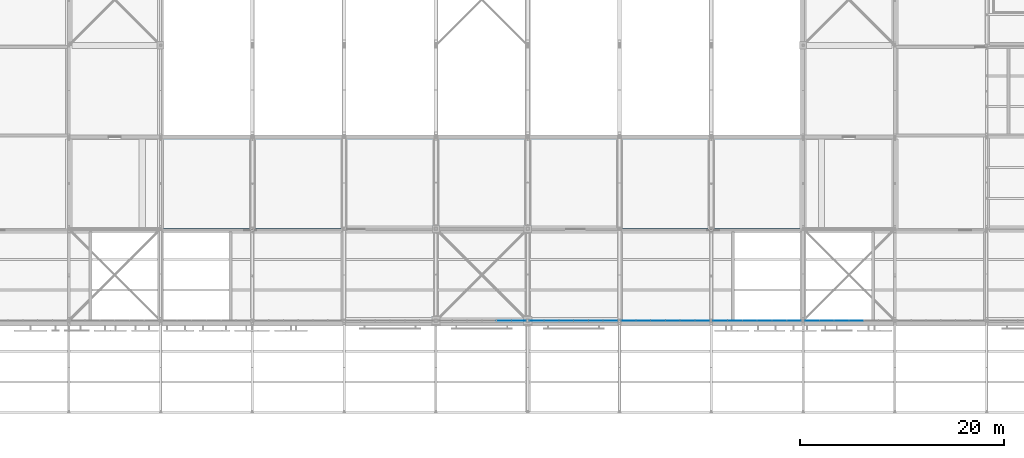
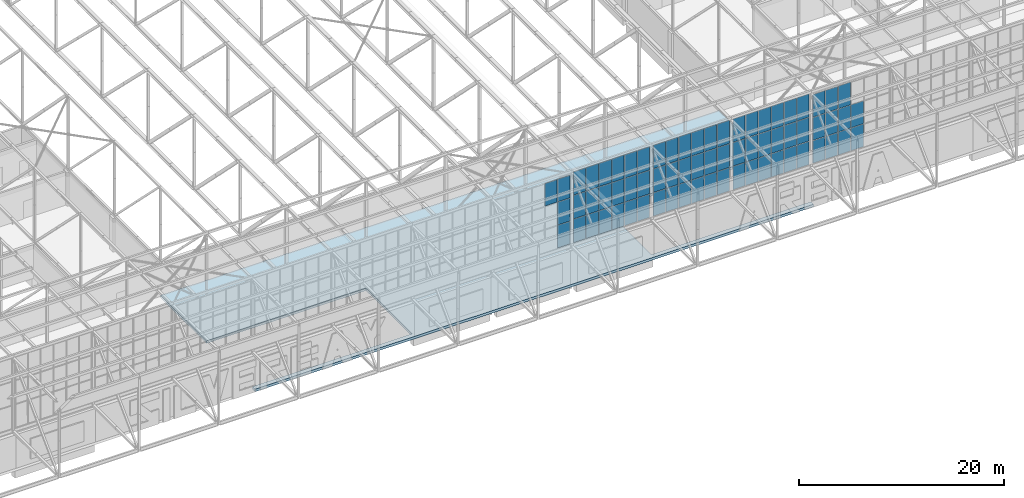
# One storey, part 146 of 646: 69 plates, 1 slab, 5 elements without a shape of their own.
"""IFC4 building model written with IfcOpenShell, lengths in metres."""

from ifc_helpers import new_model, si_unit, direction, frame, origin, origin_2d, place, context, subcontext, project, spatial, polyline, rectangle, outline, extrude, material, layer, layer_set, type_object, element, aggregate, save


model = new_model("IFC4")

# Units and contexts
model_context = context("Model", 3, precision=1e-05, world=origin(), true_north=direction((0.0, 1.0)))
body_context = subcontext(model_context, "Body", "Model", "MODEL_VIEW")
ifc_project = project(units=[si_unit("LENGTHUNIT", "METRE"), si_unit("AREAUNIT", "SQUARE_METRE"), si_unit("VOLUMEUNIT", "CUBIC_METRE"), si_unit("PLANEANGLEUNIT", "RADIAN"), si_unit("MASSUNIT", "GRAM", prefix="KILO")], contexts=[model_context])

# Site, building, storey
site_placement = place(None, origin())
site = spatial("IfcSite", under=ifc_project, at=site_placement, CompositionType="ELEMENT")
building_placement = place(site_placement, origin())
building = spatial("IfcBuilding", under=site, at=building_placement, Name="Silverbay Arena", CompositionType="ELEMENT")
storey_placement = place(building_placement, frame((0.0, 0.0, 33.5)))
storey = spatial("IfcBuildingStorey", under=building, at=storey_placement, Name="L05", CompositionType="ELEMENT", Elevation=33.5)

# Curtain wall, plates
ifc_material_1 = material(Name="Aluminium framed glazing", Category="aluminium")
curtain_wall_type_1 = type_object("IfcCurtainWallType", Name="Curtain wall clerestory 8693 x 8273", PredefinedType="NOTDEFINED", material=ifc_material_1)
curtain_wall_1_placement = place(storey_placement, origin())
curtain_wall_1 = element("IfcCurtainWall", 1, at=curtain_wall_1_placement, inside=storey, type_object=curtain_wall_type_1, Name="ROOF CLERESTORY CURTAIN WALL south bay 09", PredefinedType="NOTDEFINED")
ifc_material_2 = material(Name="Laminated glass", Category="glass")
ifc_layer_1 = layer(ifc_material_2, 0.028076171875)
ifc_layer_set_1 = layer_set([ifc_layer_1], Name="Laminated glass")
plate_type = type_object("IfcPlateType", Name="Glass panel 28", PredefinedType="CURTAIN_PANEL", material=ifc_layer_set_1)
plate_1_placement = place(storey_placement, frame((132.673095703125, 18.0, 10.00048828125), z_axis=(0.0, 0.0, 1.0), x_axis=(1.0, 0.0, 0.0)))
plate_1 = element("IfcPlate", 2, at=plate_1_placement, type_object=plate_type, Name="CW56 panel 5.3", PredefinedType="CURTAIN_PANEL", context=body_context, shape_type="SweptSolid", body=[
    extrude(rectangle(XDim=1.388671875, YDim=0.028076171875, at=origin_2d()), origin(), (0.0, 0.0, 1.0), 2.6826171875),
])
plate_2_placement = place(storey_placement, frame((134.10693359375, 18.0, 4.510009765625), z_axis=(0.0, 0.0, 1.0), x_axis=(1.0, 0.0, 0.0)))
plate_2 = element("IfcPlate", 3, at=plate_2_placement, type_object=plate_type, Name="CW56 panel 6.1", PredefinedType="CURTAIN_PANEL", context=body_context, shape_type="SweptSolid", body=[
    extrude(rectangle(XDim=1.35888671875, YDim=0.028076171875, at=origin_2d()), origin(), (0.0, 0.0, 1.0), 2.6826171875),
])
plate_3_placement = place(storey_placement, frame((134.10693359375, 18.0, 7.24267578125), z_axis=(0.0, 0.0, 1.0), x_axis=(1.0, 0.0, 0.0)))
plate_3 = element("IfcPlate", 4, at=plate_3_placement, type_object=plate_type, Name="CW56 panel 6.2", PredefinedType="CURTAIN_PANEL", context=body_context, shape_type="SweptSolid", body=[
    extrude(rectangle(XDim=1.35888671875, YDim=0.028076171875, at=origin_2d()), origin(), (0.0, 0.0, 1.0), 2.707763671875),
])
plate_4_placement = place(storey_placement, frame((134.10693359375, 18.0, 10.00048828125), z_axis=(0.0, 0.0, 1.0), x_axis=(1.0, 0.0, 0.0)))
plate_4 = element("IfcPlate", 5, at=plate_4_placement, type_object=plate_type, Name="CW56 panel 6.3", PredefinedType="CURTAIN_PANEL", context=body_context, shape_type="SweptSolid", body=[
    extrude(rectangle(XDim=1.35888671875, YDim=0.028076171875, at=origin_2d()), origin(), (0.0, 0.0, 1.0), 2.6826171875),
])
aggregate(curtain_wall_1, [plate_1, plate_2, plate_3, plate_4])

ifc_material_3 = material(Name="Aluminium framed glazing", Category="aluminium")
curtain_wall_type_2 = type_object("IfcCurtainWallType", Name="Curtain wall clerestory 8693 x 8540", PredefinedType="NOTDEFINED", material=ifc_material_3)
curtain_wall_2_placement = place(storey_placement, origin())
curtain_wall_2 = element("IfcCurtainWall", 6, at=curtain_wall_2_placement, inside=storey, type_object=curtain_wall_type_2, Name="ROOF CLERESTORY CURTAIN WALL south bay 10", PredefinedType="NOTDEFINED")
plate_5_placement = place(storey_placement, frame((135.89306640625, 18.0, 4.509765625), z_axis=(0.0, 0.0, 1.0), x_axis=(1.0, 0.0, 0.0)))
plate_5 = element("IfcPlate", 7, at=plate_5_placement, type_object=plate_type, Name="CW55 panel 1.1", PredefinedType="CURTAIN_PANEL", context=body_context, shape_type="SweptSolid", body=[
    extrude(rectangle(XDim=1.35888671875, YDim=0.028076171875, at=origin_2d()), origin(), (0.0, 0.0, 1.0), 2.771728515625),
])
plate_6_placement = place(storey_placement, frame((135.89306640625, 18.0, 7.33154296875), z_axis=(0.0, 0.0, 1.0), x_axis=(1.0, 0.0, 0.0)))
plate_6 = element("IfcPlate", 8, at=plate_6_placement, type_object=plate_type, Name="CW55 panel 1.2", PredefinedType="CURTAIN_PANEL", context=body_context, shape_type="SweptSolid", body=[
    extrude(rectangle(XDim=1.35888671875, YDim=0.028076171875, at=origin_2d()), origin(), (0.0, 0.0, 1.0), 2.796630859375),
])
plate_7_placement = place(storey_placement, frame((135.89306640625, 18.0, 10.17822265625), z_axis=(0.0, 0.0, 1.0), x_axis=(1.0, 0.0, 0.0)))
plate_7 = element("IfcPlate", 9, at=plate_7_placement, type_object=plate_type, Name="CW55 panel 1.3", PredefinedType="CURTAIN_PANEL", context=body_context, shape_type="SweptSolid", body=[
    extrude(rectangle(XDim=1.35888671875, YDim=0.028076171875, at=origin_2d()), origin(), (0.0, 0.0, 1.0), 2.771728515625),
])
plate_8_placement = place(storey_placement, frame((137.326904296875, 18.0, 4.509765625), z_axis=(0.0, 0.0, 1.0), x_axis=(1.0, 0.0, 0.0)))
plate_8 = element("IfcPlate", 10, at=plate_8_placement, type_object=plate_type, Name="CW55 panel 2.1", PredefinedType="CURTAIN_PANEL", context=body_context, shape_type="SweptSolid", body=[
    extrude(rectangle(XDim=1.388671875, YDim=0.028076171875, at=origin_2d()), origin(), (0.0, 0.0, 1.0), 2.771728515625),
])
plate_9_placement = place(storey_placement, frame((137.326904296875, 18.0, 7.33154296875), z_axis=(0.0, 0.0, 1.0), x_axis=(1.0, 0.0, 0.0)))
plate_9 = element("IfcPlate", 11, at=plate_9_placement, type_object=plate_type, Name="CW55 panel 2.2", PredefinedType="CURTAIN_PANEL", context=body_context, shape_type="SweptSolid", body=[
    extrude(rectangle(XDim=1.388671875, YDim=0.028076171875, at=origin_2d()), origin(), (0.0, 0.0, 1.0), 2.796630859375),
])
plate_10_placement = place(storey_placement, frame((137.326904296875, 18.0, 10.17822265625), z_axis=(0.0, 0.0, 1.0), x_axis=(1.0, 0.0, 0.0)))
plate_10 = element("IfcPlate", 12, at=plate_10_placement, type_object=plate_type, Name="CW55 panel 2.3", PredefinedType="CURTAIN_PANEL", context=body_context, shape_type="SweptSolid", body=[
    extrude(rectangle(XDim=1.388671875, YDim=0.028076171875, at=origin_2d()), origin(), (0.0, 0.0, 1.0), 2.771728515625),
])
plate_11_placement = place(storey_placement, frame((138.775634765625, 18.0, 4.509765625), z_axis=(0.0, 0.0, 1.0), x_axis=(1.0, 0.0, 0.0)))
plate_11 = element("IfcPlate", 13, at=plate_11_placement, type_object=plate_type, Name="CW55 panel 3.1", PredefinedType="CURTAIN_PANEL", context=body_context, shape_type="SweptSolid", body=[
    extrude(rectangle(XDim=1.388671875, YDim=0.028076171875, at=origin_2d()), origin(), (0.0, 0.0, 1.0), 2.771728515625),
])
plate_12_placement = place(storey_placement, frame((138.775634765625, 18.0, 7.33154296875), z_axis=(0.0, 0.0, 1.0), x_axis=(1.0, 0.0, 0.0)))
plate_12 = element("IfcPlate", 14, at=plate_12_placement, type_object=plate_type, Name="CW55 panel 3.2", PredefinedType="CURTAIN_PANEL", context=body_context, shape_type="SweptSolid", body=[
    extrude(rectangle(XDim=1.388671875, YDim=0.028076171875, at=origin_2d()), origin(), (0.0, 0.0, 1.0), 2.796630859375),
])
plate_13_placement = place(storey_placement, frame((138.775634765625, 18.0, 10.17822265625), z_axis=(0.0, 0.0, 1.0), x_axis=(1.0, 0.0, 0.0)))
plate_13 = element("IfcPlate", 15, at=plate_13_placement, type_object=plate_type, Name="CW55 panel 3.3", PredefinedType="CURTAIN_PANEL", context=body_context, shape_type="SweptSolid", body=[
    extrude(rectangle(XDim=1.388671875, YDim=0.028076171875, at=origin_2d()), origin(), (0.0, 0.0, 1.0), 2.771728515625),
])
plate_14_placement = place(storey_placement, frame((140.224365234375, 18.0, 4.509765625), z_axis=(0.0, 0.0, 1.0), x_axis=(1.0, 0.0, 0.0)))
plate_14 = element("IfcPlate", 16, at=plate_14_placement, type_object=plate_type, Name="CW55 panel 4.1", PredefinedType="CURTAIN_PANEL", context=body_context, shape_type="SweptSolid", body=[
    extrude(rectangle(XDim=1.388671875, YDim=0.028076171875, at=origin_2d()), origin(), (0.0, 0.0, 1.0), 2.771728515625),
])
plate_15_placement = place(storey_placement, frame((140.224365234375, 18.0, 7.33154296875), z_axis=(0.0, 0.0, 1.0), x_axis=(1.0, 0.0, 0.0)))
plate_15 = element("IfcPlate", 17, at=plate_15_placement, type_object=plate_type, Name="CW55 panel 4.2", PredefinedType="CURTAIN_PANEL", context=body_context, shape_type="SweptSolid", body=[
    extrude(rectangle(XDim=1.388671875, YDim=0.028076171875, at=origin_2d()), origin(), (0.0, 0.0, 1.0), 2.796630859375),
])
plate_16_placement = place(storey_placement, frame((140.224365234375, 18.0, 10.17822265625), z_axis=(0.0, 0.0, 1.0), x_axis=(1.0, 0.0, 0.0)))
plate_16 = element("IfcPlate", 18, at=plate_16_placement, type_object=plate_type, Name="CW55 panel 4.3", PredefinedType="CURTAIN_PANEL", context=body_context, shape_type="SweptSolid", body=[
    extrude(rectangle(XDim=1.388671875, YDim=0.028076171875, at=origin_2d()), origin(), (0.0, 0.0, 1.0), 2.771728515625),
])
plate_17_placement = place(storey_placement, frame((141.673095703125, 18.0, 4.509765625), z_axis=(0.0, 0.0, 1.0), x_axis=(1.0, 0.0, 0.0)))
plate_17 = element("IfcPlate", 19, at=plate_17_placement, type_object=plate_type, Name="CW55 panel 5.1", PredefinedType="CURTAIN_PANEL", context=body_context, shape_type="SweptSolid", body=[
    extrude(rectangle(XDim=1.388671875, YDim=0.028076171875, at=origin_2d()), origin(), (0.0, 0.0, 1.0), 2.771728515625),
])
plate_18_placement = place(storey_placement, frame((141.673095703125, 18.0, 7.33154296875), z_axis=(0.0, 0.0, 1.0), x_axis=(1.0, 0.0, 0.0)))
plate_18 = element("IfcPlate", 20, at=plate_18_placement, type_object=plate_type, Name="CW55 panel 5.2", PredefinedType="CURTAIN_PANEL", context=body_context, shape_type="SweptSolid", body=[
    extrude(rectangle(XDim=1.388671875, YDim=0.028076171875, at=origin_2d()), origin(), (0.0, 0.0, 1.0), 2.796630859375),
])
plate_19_placement = place(storey_placement, frame((141.673095703125, 18.0, 10.17822265625), z_axis=(0.0, 0.0, 1.0), x_axis=(1.0, 0.0, 0.0)))
plate_19 = element("IfcPlate", 21, at=plate_19_placement, type_object=plate_type, Name="CW55 panel 5.3", PredefinedType="CURTAIN_PANEL", context=body_context, shape_type="SweptSolid", body=[
    extrude(rectangle(XDim=1.388671875, YDim=0.028076171875, at=origin_2d()), origin(), (0.0, 0.0, 1.0), 2.771728515625),
])
plate_20_placement = place(storey_placement, frame((143.10693359375, 18.0, 4.509765625), z_axis=(0.0, 0.0, 1.0), x_axis=(1.0, 0.0, 0.0)))
plate_20 = element("IfcPlate", 22, at=plate_20_placement, type_object=plate_type, Name="CW55 panel 6.1", PredefinedType="CURTAIN_PANEL", context=body_context, shape_type="SweptSolid", body=[
    extrude(rectangle(XDim=1.35888671875, YDim=0.028076171875, at=origin_2d()), origin(), (0.0, 0.0, 1.0), 2.771728515625),
])
plate_21_placement = place(storey_placement, frame((143.10693359375, 18.0, 7.33154296875), z_axis=(0.0, 0.0, 1.0), x_axis=(1.0, 0.0, 0.0)))
plate_21 = element("IfcPlate", 23, at=plate_21_placement, type_object=plate_type, Name="CW55 panel 6.2", PredefinedType="CURTAIN_PANEL", context=body_context, shape_type="SweptSolid", body=[
    extrude(rectangle(XDim=1.35888671875, YDim=0.028076171875, at=origin_2d()), origin(), (0.0, 0.0, 1.0), 2.796630859375),
])
plate_22_placement = place(storey_placement, frame((143.10693359375, 18.0, 10.17822265625), z_axis=(0.0, 0.0, 1.0), x_axis=(1.0, 0.0, 0.0)))
plate_22 = element("IfcPlate", 24, at=plate_22_placement, type_object=plate_type, Name="CW55 panel 6.3", PredefinedType="CURTAIN_PANEL", context=body_context, shape_type="SweptSolid", body=[
    extrude(rectangle(XDim=1.35888671875, YDim=0.028076171875, at=origin_2d()), origin(), (0.0, 0.0, 1.0), 2.771728515625),
])
aggregate(curtain_wall_2, [plate_5, plate_6, plate_7, plate_8, plate_9, plate_10, plate_11, plate_12, plate_13, plate_14, plate_15, plate_16, plate_17, plate_18, plate_19, plate_20, plate_21, plate_22])

curtain_wall_3_placement = place(storey_placement, origin())
curtain_wall_3 = element("IfcCurtainWall", 25, at=curtain_wall_3_placement, inside=storey, type_object=curtain_wall_type_2, Name="ROOF CLERESTORY CURTAIN WALL south bay 11", PredefinedType="NOTDEFINED")
plate_23_placement = place(storey_placement, frame((144.89306640625, 18.0, 4.509765625), z_axis=(0.0, 0.0, 1.0), x_axis=(1.0, 0.0, 0.0)))
plate_23 = element("IfcPlate", 26, at=plate_23_placement, type_object=plate_type, Name="CW55 panel 1.1", PredefinedType="CURTAIN_PANEL", context=body_context, shape_type="SweptSolid", body=[
    extrude(rectangle(XDim=1.35888671875, YDim=0.028076171875, at=origin_2d()), origin(), (0.0, 0.0, 1.0), 2.771728515625),
])
plate_24_placement = place(storey_placement, frame((144.89306640625, 18.0, 7.33154296875), z_axis=(0.0, 0.0, 1.0), x_axis=(1.0, 0.0, 0.0)))
plate_24 = element("IfcPlate", 27, at=plate_24_placement, type_object=plate_type, Name="CW55 panel 1.2", PredefinedType="CURTAIN_PANEL", context=body_context, shape_type="SweptSolid", body=[
    extrude(rectangle(XDim=1.35888671875, YDim=0.028076171875, at=origin_2d()), origin(), (0.0, 0.0, 1.0), 2.796630859375),
])
plate_25_placement = place(storey_placement, frame((144.89306640625, 18.0, 10.17822265625), z_axis=(0.0, 0.0, 1.0), x_axis=(1.0, 0.0, 0.0)))
plate_25 = element("IfcPlate", 28, at=plate_25_placement, type_object=plate_type, Name="CW55 panel 1.3", PredefinedType="CURTAIN_PANEL", context=body_context, shape_type="SweptSolid", body=[
    extrude(rectangle(XDim=1.35888671875, YDim=0.028076171875, at=origin_2d()), origin(), (0.0, 0.0, 1.0), 2.771728515625),
])
plate_26_placement = place(storey_placement, frame((146.326904296875, 18.0, 4.509765625), z_axis=(0.0, 0.0, 1.0), x_axis=(1.0, 0.0, 0.0)))
plate_26 = element("IfcPlate", 29, at=plate_26_placement, type_object=plate_type, Name="CW55 panel 2.1", PredefinedType="CURTAIN_PANEL", context=body_context, shape_type="SweptSolid", body=[
    extrude(rectangle(XDim=1.388671875, YDim=0.028076171875, at=origin_2d()), origin(), (0.0, 0.0, 1.0), 2.771728515625),
])
plate_27_placement = place(storey_placement, frame((146.326904296875, 18.0, 7.33154296875), z_axis=(0.0, 0.0, 1.0), x_axis=(1.0, 0.0, 0.0)))
plate_27 = element("IfcPlate", 30, at=plate_27_placement, type_object=plate_type, Name="CW55 panel 2.2", PredefinedType="CURTAIN_PANEL", context=body_context, shape_type="SweptSolid", body=[
    extrude(rectangle(XDim=1.388671875, YDim=0.028076171875, at=origin_2d()), origin(), (0.0, 0.0, 1.0), 2.796630859375),
])
plate_28_placement = place(storey_placement, frame((146.326904296875, 18.0, 10.17822265625), z_axis=(0.0, 0.0, 1.0), x_axis=(1.0, 0.0, 0.0)))
plate_28 = element("IfcPlate", 31, at=plate_28_placement, type_object=plate_type, Name="CW55 panel 2.3", PredefinedType="CURTAIN_PANEL", context=body_context, shape_type="SweptSolid", body=[
    extrude(rectangle(XDim=1.388671875, YDim=0.028076171875, at=origin_2d()), origin(), (0.0, 0.0, 1.0), 2.771728515625),
])
plate_29_placement = place(storey_placement, frame((147.775634765625, 18.0, 4.509765625), z_axis=(0.0, 0.0, 1.0), x_axis=(1.0, 0.0, 0.0)))
plate_29 = element("IfcPlate", 32, at=plate_29_placement, type_object=plate_type, Name="CW55 panel 3.1", PredefinedType="CURTAIN_PANEL", context=body_context, shape_type="SweptSolid", body=[
    extrude(rectangle(XDim=1.388671875, YDim=0.028076171875, at=origin_2d()), origin(), (0.0, 0.0, 1.0), 2.771728515625),
])
plate_30_placement = place(storey_placement, frame((147.775634765625, 18.0, 7.33154296875), z_axis=(0.0, 0.0, 1.0), x_axis=(1.0, 0.0, 0.0)))
plate_30 = element("IfcPlate", 33, at=plate_30_placement, type_object=plate_type, Name="CW55 panel 3.2", PredefinedType="CURTAIN_PANEL", context=body_context, shape_type="SweptSolid", body=[
    extrude(rectangle(XDim=1.388671875, YDim=0.028076171875, at=origin_2d()), origin(), (0.0, 0.0, 1.0), 2.796630859375),
])
plate_31_placement = place(storey_placement, frame((147.775634765625, 18.0, 10.17822265625), z_axis=(0.0, 0.0, 1.0), x_axis=(1.0, 0.0, 0.0)))
plate_31 = element("IfcPlate", 34, at=plate_31_placement, type_object=plate_type, Name="CW55 panel 3.3", PredefinedType="CURTAIN_PANEL", context=body_context, shape_type="SweptSolid", body=[
    extrude(rectangle(XDim=1.388671875, YDim=0.028076171875, at=origin_2d()), origin(), (0.0, 0.0, 1.0), 2.771728515625),
])
plate_32_placement = place(storey_placement, frame((149.224365234375, 18.0, 4.509765625), z_axis=(0.0, 0.0, 1.0), x_axis=(1.0, 0.0, 0.0)))
plate_32 = element("IfcPlate", 35, at=plate_32_placement, type_object=plate_type, Name="CW55 panel 4.1", PredefinedType="CURTAIN_PANEL", context=body_context, shape_type="SweptSolid", body=[
    extrude(rectangle(XDim=1.388671875, YDim=0.028076171875, at=origin_2d()), origin(), (0.0, 0.0, 1.0), 2.771728515625),
])
plate_33_placement = place(storey_placement, frame((149.224365234375, 18.0, 7.33154296875), z_axis=(0.0, 0.0, 1.0), x_axis=(1.0, 0.0, 0.0)))
plate_33 = element("IfcPlate", 36, at=plate_33_placement, type_object=plate_type, Name="CW55 panel 4.2", PredefinedType="CURTAIN_PANEL", context=body_context, shape_type="SweptSolid", body=[
    extrude(rectangle(XDim=1.388671875, YDim=0.028076171875, at=origin_2d()), origin(), (0.0, 0.0, 1.0), 2.796630859375),
])
plate_34_placement = place(storey_placement, frame((149.224365234375, 18.0, 10.17822265625), z_axis=(0.0, 0.0, 1.0), x_axis=(1.0, 0.0, 0.0)))
plate_34 = element("IfcPlate", 37, at=plate_34_placement, type_object=plate_type, Name="CW55 panel 4.3", PredefinedType="CURTAIN_PANEL", context=body_context, shape_type="SweptSolid", body=[
    extrude(rectangle(XDim=1.388671875, YDim=0.028076171875, at=origin_2d()), origin(), (0.0, 0.0, 1.0), 2.771728515625),
])
plate_35_placement = place(storey_placement, frame((150.673095703125, 18.0, 4.509765625), z_axis=(0.0, 0.0, 1.0), x_axis=(1.0, 0.0, 0.0)))
plate_35 = element("IfcPlate", 38, at=plate_35_placement, type_object=plate_type, Name="CW55 panel 5.1", PredefinedType="CURTAIN_PANEL", context=body_context, shape_type="SweptSolid", body=[
    extrude(rectangle(XDim=1.388671875, YDim=0.028076171875, at=origin_2d()), origin(), (0.0, 0.0, 1.0), 2.771728515625),
])
plate_36_placement = place(storey_placement, frame((150.673095703125, 18.0, 7.33154296875), z_axis=(0.0, 0.0, 1.0), x_axis=(1.0, 0.0, 0.0)))
plate_36 = element("IfcPlate", 39, at=plate_36_placement, type_object=plate_type, Name="CW55 panel 5.2", PredefinedType="CURTAIN_PANEL", context=body_context, shape_type="SweptSolid", body=[
    extrude(rectangle(XDim=1.388671875, YDim=0.028076171875, at=origin_2d()), origin(), (0.0, 0.0, 1.0), 2.796630859375),
])
plate_37_placement = place(storey_placement, frame((150.673095703125, 18.0, 10.17822265625), z_axis=(0.0, 0.0, 1.0), x_axis=(1.0, 0.0, 0.0)))
plate_37 = element("IfcPlate", 40, at=plate_37_placement, type_object=plate_type, Name="CW55 panel 5.3", PredefinedType="CURTAIN_PANEL", context=body_context, shape_type="SweptSolid", body=[
    extrude(rectangle(XDim=1.388671875, YDim=0.028076171875, at=origin_2d()), origin(), (0.0, 0.0, 1.0), 2.771728515625),
])
plate_38_placement = place(storey_placement, frame((152.10693359375, 18.0, 4.509765625), z_axis=(0.0, 0.0, 1.0), x_axis=(1.0, 0.0, 0.0)))
plate_38 = element("IfcPlate", 41, at=plate_38_placement, type_object=plate_type, Name="CW55 panel 6.1", PredefinedType="CURTAIN_PANEL", context=body_context, shape_type="SweptSolid", body=[
    extrude(rectangle(XDim=1.35888671875, YDim=0.028076171875, at=origin_2d()), origin(), (0.0, 0.0, 1.0), 2.771728515625),
])
plate_39_placement = place(storey_placement, frame((152.10693359375, 18.0, 7.33154296875), z_axis=(0.0, 0.0, 1.0), x_axis=(1.0, 0.0, 0.0)))
plate_39 = element("IfcPlate", 42, at=plate_39_placement, type_object=plate_type, Name="CW55 panel 6.2", PredefinedType="CURTAIN_PANEL", context=body_context, shape_type="SweptSolid", body=[
    extrude(rectangle(XDim=1.35888671875, YDim=0.028076171875, at=origin_2d()), origin(), (0.0, 0.0, 1.0), 2.796630859375),
])
plate_40_placement = place(storey_placement, frame((152.10693359375, 18.0, 10.17822265625), z_axis=(0.0, 0.0, 1.0), x_axis=(1.0, 0.0, 0.0)))
plate_40 = element("IfcPlate", 43, at=plate_40_placement, type_object=plate_type, Name="CW55 panel 6.3", PredefinedType="CURTAIN_PANEL", context=body_context, shape_type="SweptSolid", body=[
    extrude(rectangle(XDim=1.35888671875, YDim=0.028076171875, at=origin_2d()), origin(), (0.0, 0.0, 1.0), 2.771728515625),
])
aggregate(curtain_wall_3, [plate_23, plate_24, plate_25, plate_26, plate_27, plate_28, plate_29, plate_30, plate_31, plate_32, plate_33, plate_34, plate_35, plate_36, plate_37, plate_38, plate_39, plate_40])

curtain_wall_4_placement = place(storey_placement, origin())
curtain_wall_4 = element("IfcCurtainWall", 44, at=curtain_wall_4_placement, inside=storey, type_object=curtain_wall_type_2, Name="ROOF CLERESTORY CURTAIN WALL south bay 12", PredefinedType="NOTDEFINED")
plate_41_placement = place(storey_placement, frame((153.89306640625, 18.0, 4.509765625), z_axis=(0.0, 0.0, 1.0), x_axis=(1.0, 0.0, 0.0)))
plate_41 = element("IfcPlate", 45, at=plate_41_placement, type_object=plate_type, Name="CW55 panel 1.1", PredefinedType="CURTAIN_PANEL", context=body_context, shape_type="SweptSolid", body=[
    extrude(rectangle(XDim=1.35888671875, YDim=0.028076171875, at=origin_2d()), origin(), (0.0, 0.0, 1.0), 2.771728515625),
])
plate_42_placement = place(storey_placement, frame((153.89306640625, 18.0, 7.33154296875), z_axis=(0.0, 0.0, 1.0), x_axis=(1.0, 0.0, 0.0)))
plate_42 = element("IfcPlate", 46, at=plate_42_placement, type_object=plate_type, Name="CW55 panel 1.2", PredefinedType="CURTAIN_PANEL", context=body_context, shape_type="SweptSolid", body=[
    extrude(rectangle(XDim=1.35888671875, YDim=0.028076171875, at=origin_2d()), origin(), (0.0, 0.0, 1.0), 2.796630859375),
])
plate_43_placement = place(storey_placement, frame((153.89306640625, 18.0, 10.17822265625), z_axis=(0.0, 0.0, 1.0), x_axis=(1.0, 0.0, 0.0)))
plate_43 = element("IfcPlate", 47, at=plate_43_placement, type_object=plate_type, Name="CW55 panel 1.3", PredefinedType="CURTAIN_PANEL", context=body_context, shape_type="SweptSolid", body=[
    extrude(rectangle(XDim=1.35888671875, YDim=0.028076171875, at=origin_2d()), origin(), (0.0, 0.0, 1.0), 2.771728515625),
])
plate_44_placement = place(storey_placement, frame((155.326904296875, 18.0, 4.509765625), z_axis=(0.0, 0.0, 1.0), x_axis=(1.0, 0.0, 0.0)))
plate_44 = element("IfcPlate", 48, at=plate_44_placement, type_object=plate_type, Name="CW55 panel 2.1", PredefinedType="CURTAIN_PANEL", context=body_context, shape_type="SweptSolid", body=[
    extrude(rectangle(XDim=1.388671875, YDim=0.028076171875, at=origin_2d()), origin(), (0.0, 0.0, 1.0), 2.771728515625),
])
plate_45_placement = place(storey_placement, frame((155.326904296875, 18.0, 7.33154296875), z_axis=(0.0, 0.0, 1.0), x_axis=(1.0, 0.0, 0.0)))
plate_45 = element("IfcPlate", 49, at=plate_45_placement, type_object=plate_type, Name="CW55 panel 2.2", PredefinedType="CURTAIN_PANEL", context=body_context, shape_type="SweptSolid", body=[
    extrude(rectangle(XDim=1.388671875, YDim=0.028076171875, at=origin_2d()), origin(), (0.0, 0.0, 1.0), 2.796630859375),
])
plate_46_placement = place(storey_placement, frame((155.326904296875, 18.0, 10.17822265625), z_axis=(0.0, 0.0, 1.0), x_axis=(1.0, 0.0, 0.0)))
plate_46 = element("IfcPlate", 50, at=plate_46_placement, type_object=plate_type, Name="CW55 panel 2.3", PredefinedType="CURTAIN_PANEL", context=body_context, shape_type="SweptSolid", body=[
    extrude(rectangle(XDim=1.388671875, YDim=0.028076171875, at=origin_2d()), origin(), (0.0, 0.0, 1.0), 2.771728515625),
])
plate_47_placement = place(storey_placement, frame((156.775634765625, 18.0, 4.509765625), z_axis=(0.0, 0.0, 1.0), x_axis=(1.0, 0.0, 0.0)))
plate_47 = element("IfcPlate", 51, at=plate_47_placement, type_object=plate_type, Name="CW55 panel 3.1", PredefinedType="CURTAIN_PANEL", context=body_context, shape_type="SweptSolid", body=[
    extrude(rectangle(XDim=1.388671875, YDim=0.028076171875, at=origin_2d()), origin(), (0.0, 0.0, 1.0), 2.771728515625),
])
plate_48_placement = place(storey_placement, frame((156.775634765625, 18.0, 7.33154296875), z_axis=(0.0, 0.0, 1.0), x_axis=(1.0, 0.0, 0.0)))
plate_48 = element("IfcPlate", 52, at=plate_48_placement, type_object=plate_type, Name="CW55 panel 3.2", PredefinedType="CURTAIN_PANEL", context=body_context, shape_type="SweptSolid", body=[
    extrude(rectangle(XDim=1.388671875, YDim=0.028076171875, at=origin_2d()), origin(), (0.0, 0.0, 1.0), 2.796630859375),
])
plate_49_placement = place(storey_placement, frame((156.775634765625, 18.0, 10.17822265625), z_axis=(0.0, 0.0, 1.0), x_axis=(1.0, 0.0, 0.0)))
plate_49 = element("IfcPlate", 53, at=plate_49_placement, type_object=plate_type, Name="CW55 panel 3.3", PredefinedType="CURTAIN_PANEL", context=body_context, shape_type="SweptSolid", body=[
    extrude(rectangle(XDim=1.388671875, YDim=0.028076171875, at=origin_2d()), origin(), (0.0, 0.0, 1.0), 2.771728515625),
])
plate_50_placement = place(storey_placement, frame((158.224365234375, 18.0, 4.509765625), z_axis=(0.0, 0.0, 1.0), x_axis=(1.0, 0.0, 0.0)))
plate_50 = element("IfcPlate", 54, at=plate_50_placement, type_object=plate_type, Name="CW55 panel 4.1", PredefinedType="CURTAIN_PANEL", context=body_context, shape_type="SweptSolid", body=[
    extrude(rectangle(XDim=1.388671875, YDim=0.028076171875, at=origin_2d()), origin(), (0.0, 0.0, 1.0), 2.771728515625),
])
plate_51_placement = place(storey_placement, frame((158.224365234375, 18.0, 7.33154296875), z_axis=(0.0, 0.0, 1.0), x_axis=(1.0, 0.0, 0.0)))
plate_51 = element("IfcPlate", 55, at=plate_51_placement, type_object=plate_type, Name="CW55 panel 4.2", PredefinedType="CURTAIN_PANEL", context=body_context, shape_type="SweptSolid", body=[
    extrude(rectangle(XDim=1.388671875, YDim=0.028076171875, at=origin_2d()), origin(), (0.0, 0.0, 1.0), 2.796630859375),
])
plate_52_placement = place(storey_placement, frame((158.224365234375, 18.0, 10.17822265625), z_axis=(0.0, 0.0, 1.0), x_axis=(1.0, 0.0, 0.0)))
plate_52 = element("IfcPlate", 56, at=plate_52_placement, type_object=plate_type, Name="CW55 panel 4.3", PredefinedType="CURTAIN_PANEL", context=body_context, shape_type="SweptSolid", body=[
    extrude(rectangle(XDim=1.388671875, YDim=0.028076171875, at=origin_2d()), origin(), (0.0, 0.0, 1.0), 2.771728515625),
])
plate_53_placement = place(storey_placement, frame((159.673095703125, 18.0, 4.509765625), z_axis=(0.0, 0.0, 1.0), x_axis=(1.0, 0.0, 0.0)))
plate_53 = element("IfcPlate", 57, at=plate_53_placement, type_object=plate_type, Name="CW55 panel 5.1", PredefinedType="CURTAIN_PANEL", context=body_context, shape_type="SweptSolid", body=[
    extrude(rectangle(XDim=1.388671875, YDim=0.028076171875, at=origin_2d()), origin(), (0.0, 0.0, 1.0), 2.771728515625),
])
plate_54_placement = place(storey_placement, frame((159.673095703125, 18.0, 7.33154296875), z_axis=(0.0, 0.0, 1.0), x_axis=(1.0, 0.0, 0.0)))
plate_54 = element("IfcPlate", 58, at=plate_54_placement, type_object=plate_type, Name="CW55 panel 5.2", PredefinedType="CURTAIN_PANEL", context=body_context, shape_type="SweptSolid", body=[
    extrude(rectangle(XDim=1.388671875, YDim=0.028076171875, at=origin_2d()), origin(), (0.0, 0.0, 1.0), 2.796630859375),
])
plate_55_placement = place(storey_placement, frame((159.673095703125, 18.0, 10.17822265625), z_axis=(0.0, 0.0, 1.0), x_axis=(1.0, 0.0, 0.0)))
plate_55 = element("IfcPlate", 59, at=plate_55_placement, type_object=plate_type, Name="CW55 panel 5.3", PredefinedType="CURTAIN_PANEL", context=body_context, shape_type="SweptSolid", body=[
    extrude(rectangle(XDim=1.388671875, YDim=0.028076171875, at=origin_2d()), origin(), (0.0, 0.0, 1.0), 2.771728515625),
])
plate_56_placement = place(storey_placement, frame((161.10693359375, 18.0, 4.509765625), z_axis=(0.0, 0.0, 1.0), x_axis=(1.0, 0.0, 0.0)))
plate_56 = element("IfcPlate", 60, at=plate_56_placement, type_object=plate_type, Name="CW55 panel 6.1", PredefinedType="CURTAIN_PANEL", context=body_context, shape_type="SweptSolid", body=[
    extrude(rectangle(XDim=1.35888671875, YDim=0.028076171875, at=origin_2d()), origin(), (0.0, 0.0, 1.0), 2.771728515625),
])
plate_57_placement = place(storey_placement, frame((161.10693359375, 18.0, 7.33154296875), z_axis=(0.0, 0.0, 1.0), x_axis=(1.0, 0.0, 0.0)))
plate_57 = element("IfcPlate", 61, at=plate_57_placement, type_object=plate_type, Name="CW55 panel 6.2", PredefinedType="CURTAIN_PANEL", context=body_context, shape_type="SweptSolid", body=[
    extrude(rectangle(XDim=1.35888671875, YDim=0.028076171875, at=origin_2d()), origin(), (0.0, 0.0, 1.0), 2.796630859375),
])
plate_58_placement = place(storey_placement, frame((161.10693359375, 18.0, 10.17822265625), z_axis=(0.0, 0.0, 1.0), x_axis=(1.0, 0.0, 0.0)))
plate_58 = element("IfcPlate", 62, at=plate_58_placement, type_object=plate_type, Name="CW55 panel 6.3", PredefinedType="CURTAIN_PANEL", context=body_context, shape_type="SweptSolid", body=[
    extrude(rectangle(XDim=1.35888671875, YDim=0.028076171875, at=origin_2d()), origin(), (0.0, 0.0, 1.0), 2.771728515625),
])
aggregate(curtain_wall_4, [plate_41, plate_42, plate_43, plate_44, plate_45, plate_46, plate_47, plate_48, plate_49, plate_50, plate_51, plate_52, plate_53, plate_54, plate_55, plate_56, plate_57, plate_58])

ifc_material_4 = material(Name="Aluminium framed glazing", Category="aluminium")
curtain_wall_type_3 = type_object("IfcCurtainWallType", Name="Curtain wall clerestory 8693 x 8303", PredefinedType="NOTDEFINED", material=ifc_material_4)
curtain_wall_5_placement = place(storey_placement, origin())
curtain_wall_5 = element("IfcCurtainWall", 63, at=curtain_wall_5_placement, inside=storey, type_object=curtain_wall_type_3, Name="ROOF CLERESTORY CURTAIN WALL south bay 13", PredefinedType="NOTDEFINED")
plate_59_placement = place(storey_placement, frame((162.89306640625, 18.0, 4.510009765625), z_axis=(0.0, 0.0, 1.0), x_axis=(1.0, 0.0, 0.0)))
plate_59 = element("IfcPlate", 64, at=plate_59_placement, type_object=plate_type, Name="CW54 panel 1.1", PredefinedType="CURTAIN_PANEL", context=body_context, shape_type="SweptSolid", body=[
    extrude(rectangle(XDim=1.35888671875, YDim=0.028076171875, at=origin_2d()), origin(), (0.0, 0.0, 1.0), 2.69287109375),
])
plate_60_placement = place(storey_placement, frame((162.89306640625, 18.0, 7.2529296875), z_axis=(0.0, 0.0, 1.0), x_axis=(1.0, 0.0, 0.0)))
plate_60 = element("IfcPlate", 65, at=plate_60_placement, type_object=plate_type, Name="CW54 panel 1.2", PredefinedType="CURTAIN_PANEL", context=body_context, shape_type="SweptSolid", body=[
    extrude(rectangle(XDim=1.35888671875, YDim=0.028076171875, at=origin_2d()), origin(), (0.0, 0.0, 1.0), 2.7177734375),
])
plate_61_placement = place(storey_placement, frame((162.89306640625, 18.0, 10.0205078125), z_axis=(0.0, 0.0, 1.0), x_axis=(1.0, 0.0, 0.0)))
plate_61 = element("IfcPlate", 66, at=plate_61_placement, type_object=plate_type, Name="CW54 panel 1.3", PredefinedType="CURTAIN_PANEL", context=body_context, shape_type="SweptSolid", body=[
    extrude(rectangle(XDim=1.35888671875, YDim=0.028076171875, at=origin_2d()), origin(), (0.0, 0.0, 1.0), 2.69287109375),
])
plate_62_placement = place(storey_placement, frame((164.326904296875, 18.0, 4.510009765625), z_axis=(0.0, 0.0, 1.0), x_axis=(1.0, 0.0, 0.0)))
plate_62 = element("IfcPlate", 67, at=plate_62_placement, type_object=plate_type, Name="CW54 panel 2.1", PredefinedType="CURTAIN_PANEL", context=body_context, shape_type="SweptSolid", body=[
    extrude(rectangle(XDim=1.388671875, YDim=0.028076171875, at=origin_2d()), origin(), (0.0, 0.0, 1.0), 2.69287109375),
])
plate_63_placement = place(storey_placement, frame((164.326904296875, 18.0, 7.2529296875), z_axis=(0.0, 0.0, 1.0), x_axis=(1.0, 0.0, 0.0)))
plate_63 = element("IfcPlate", 68, at=plate_63_placement, type_object=plate_type, Name="CW54 panel 2.2", PredefinedType="CURTAIN_PANEL", context=body_context, shape_type="SweptSolid", body=[
    extrude(rectangle(XDim=1.388671875, YDim=0.028076171875, at=origin_2d()), origin(), (0.0, 0.0, 1.0), 2.7177734375),
])
plate_64_placement = place(storey_placement, frame((164.326904296875, 18.0, 10.0205078125), z_axis=(0.0, 0.0, 1.0), x_axis=(1.0, 0.0, 0.0)))
plate_64 = element("IfcPlate", 69, at=plate_64_placement, type_object=plate_type, Name="CW54 panel 2.3", PredefinedType="CURTAIN_PANEL", context=body_context, shape_type="SweptSolid", body=[
    extrude(rectangle(XDim=1.388671875, YDim=0.028076171875, at=origin_2d()), origin(), (0.0, 0.0, 1.0), 2.69287109375),
])
plate_65_placement = place(storey_placement, frame((165.775634765625, 18.0, 4.510009765625), z_axis=(0.0, 0.0, 1.0), x_axis=(1.0, 0.0, 0.0)))
plate_65 = element("IfcPlate", 70, at=plate_65_placement, type_object=plate_type, Name="CW54 panel 3.1", PredefinedType="CURTAIN_PANEL", context=body_context, shape_type="SweptSolid", body=[
    extrude(rectangle(XDim=1.388671875, YDim=0.028076171875, at=origin_2d()), origin(), (0.0, 0.0, 1.0), 2.69287109375),
])
plate_66_placement = place(storey_placement, frame((165.775634765625, 18.0, 7.2529296875), z_axis=(0.0, 0.0, 1.0), x_axis=(1.0, 0.0, 0.0)))
plate_66 = element("IfcPlate", 71, at=plate_66_placement, type_object=plate_type, Name="CW54 panel 3.2", PredefinedType="CURTAIN_PANEL", context=body_context, shape_type="SweptSolid", body=[
    extrude(rectangle(XDim=1.388671875, YDim=0.028076171875, at=origin_2d()), origin(), (0.0, 0.0, 1.0), 2.7177734375),
])
plate_67_placement = place(storey_placement, frame((165.775634765625, 18.0, 10.0205078125), z_axis=(0.0, 0.0, 1.0), x_axis=(1.0, 0.0, 0.0)))
plate_67 = element("IfcPlate", 72, at=plate_67_placement, type_object=plate_type, Name="CW54 panel 3.3", PredefinedType="CURTAIN_PANEL", context=body_context, shape_type="SweptSolid", body=[
    extrude(rectangle(XDim=1.388671875, YDim=0.028076171875, at=origin_2d()), origin(), (0.0, 0.0, 1.0), 2.69287109375),
])
plate_68_placement = place(storey_placement, frame((167.224365234375, 18.0, 4.510009765625), z_axis=(0.0, 0.0, 1.0), x_axis=(1.0, 0.0, 0.0)))
plate_68 = element("IfcPlate", 73, at=plate_68_placement, type_object=plate_type, Name="CW54 panel 4.1", PredefinedType="CURTAIN_PANEL", context=body_context, shape_type="SweptSolid", body=[
    extrude(rectangle(XDim=1.388671875, YDim=0.028076171875, at=origin_2d()), origin(), (0.0, 0.0, 1.0), 2.69287109375),
])
plate_69_placement = place(storey_placement, frame((167.224365234375, 18.0, 7.2529296875), z_axis=(0.0, 0.0, 1.0), x_axis=(1.0, 0.0, 0.0)))
plate_69 = element("IfcPlate", 74, at=plate_69_placement, type_object=plate_type, Name="CW54 panel 4.2", PredefinedType="CURTAIN_PANEL", context=body_context, shape_type="SweptSolid", body=[
    extrude(rectangle(XDim=1.388671875, YDim=0.028076171875, at=origin_2d()), origin(), (0.0, 0.0, 1.0), 2.7177734375),
])
aggregate(curtain_wall_5, [plate_59, plate_60, plate_61, plate_62, plate_63, plate_64, plate_65, plate_66, plate_67, plate_68, plate_69])

# Slab
ifc_material_5 = material(Name="Concrete Grade C45", Category="concrete")
ifc_layer_2 = layer(ifc_material_5, 0.300048828125)
ifc_layer_set_2 = layer_set([ifc_layer_2], Name="Concrete Grade C45")
slab_type = type_object("IfcSlabType", Name="RC floor slab 300", PredefinedType="FLOOR", material=ifc_layer_set_2)
slab_placement = place(storey_placement, frame((0.0, 0.0, -0.300048828125)))
element("IfcSlab", 75, at=slab_placement, inside=storey, type_object=slab_type, Name="Floor slab L05 unit 2", PredefinedType="FLOOR", context=body_context, shape_type="SweptSolid", body=[
    extrude(outline(polyline([(117.0, 18.0), (117.0, 27.0), (99.0, 27.0), (99.0, 35.97509765625), (162.0, 35.97509765625), (162.0, 27.0), (144.0, 27.0), (144.0, 18.0), (162.0, 18.0), (162.0, 17.5), (99.0, 17.5), (99.0, 18.0), (117.0, 18.0)])), origin(), (0.0, 0.0, 1.0), 0.300048828125),
])

save(model, "model.ifc")
